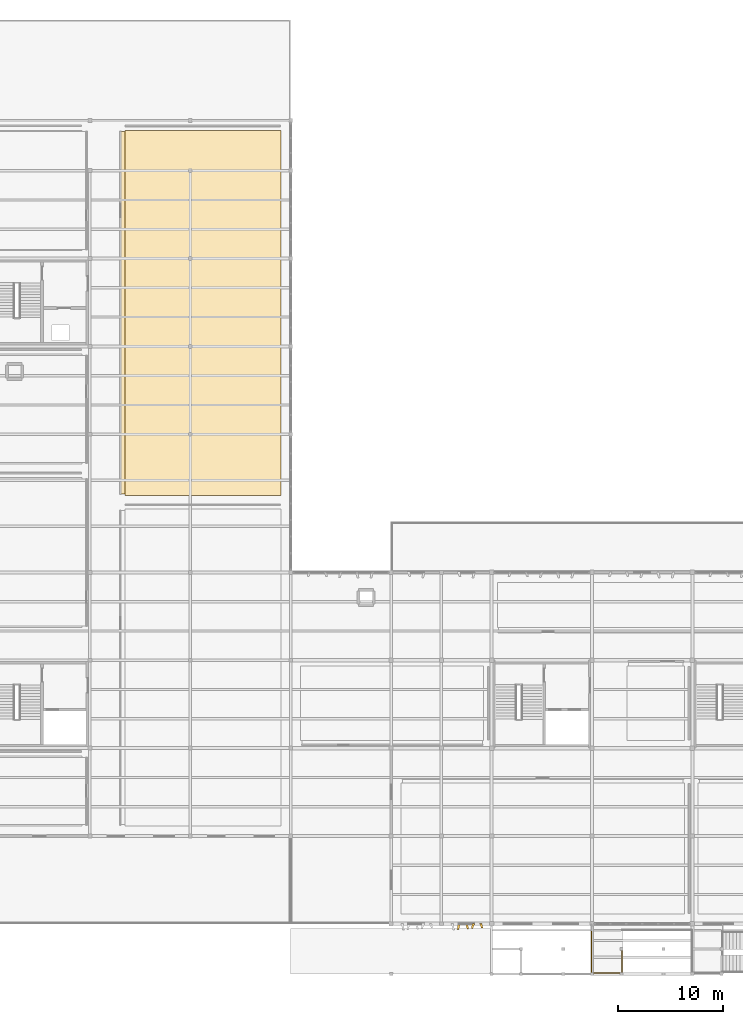
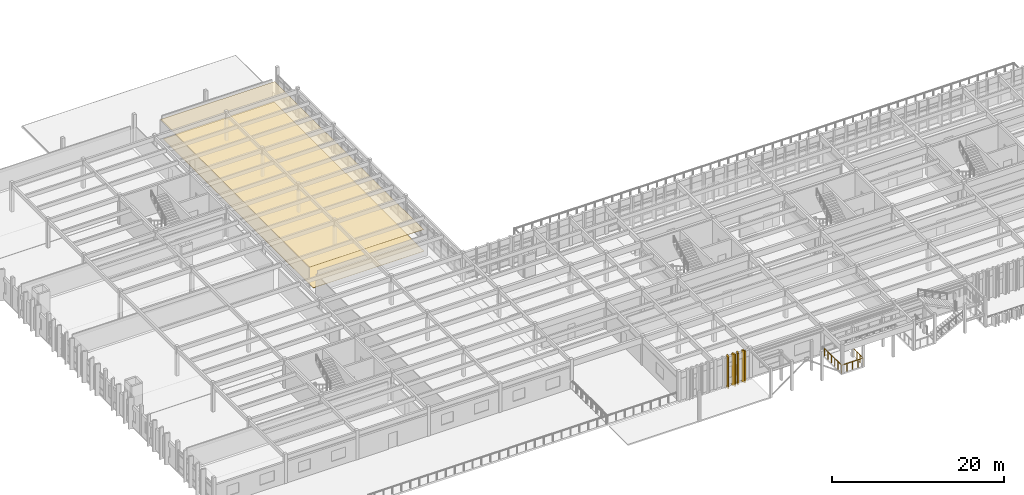
# One storey, part 53 of 61: 6 coverings, 1 railing.
"""IFC4 building model written with IfcOpenShell, lengths in metres."""

from ifc_helpers import new_model, si_unit, direction, frame, origin, origin_2d, place, context, subcontext, project, spatial, polyline, circle, outline, extrude, material, layer, layer_set, type_object, element, save


model = new_model("IFC4")

# Units and contexts
model_context = context("Model", 3, precision=1e-05, world=origin(), true_north=direction((0.0, 1.0)))
body_context = subcontext(model_context, "Body", "Model", "MODEL_VIEW")
ifc_project = project(units=[si_unit("LENGTHUNIT", "METRE"), si_unit("AREAUNIT", "SQUARE_METRE"), si_unit("VOLUMEUNIT", "CUBIC_METRE"), si_unit("PLANEANGLEUNIT", "RADIAN"), si_unit("MASSUNIT", "GRAM", prefix="KILO")], contexts=[model_context])

# Site, building, storey
site_placement = place(None, origin())
site = spatial("IfcSite", under=ifc_project, at=site_placement, CompositionType="ELEMENT")
building_placement = place(site_placement, origin())
building = spatial("IfcBuilding", under=site, at=building_placement, Name="Kolvemor Railside Polytechnic", CompositionType="ELEMENT")
storey_placement = place(building_placement, frame((0.0, 0.0, 10.199951171875)))
storey = spatial("IfcBuildingStorey", under=building, at=storey_placement, Name="L02", CompositionType="ELEMENT", Elevation=10.199951171875)

# Coverings
ifc_material_1 = material(Name="Perforated acoustic mineral-fibre and timber-slat ceiling", Category="wood")
ifc_layer_1 = layer(ifc_material_1, 0.034912109375, Name="COV-CEIL-3")
ifc_layer_set_1 = layer_set([ifc_layer_1], Name="Perforated acoustic mineral-fibre and timber-slat ceiling")
covering_type_1 = type_object("IfcCoveringType", Name="COV-CEIL-3", PredefinedType="CEILING", material=ifc_layer_set_1)
covering_1_placement = place(storey_placement, frame((0.0, 0.0, 2.9951171875)))
element("IfcCovering", 1, at=covering_1_placement, inside=storey, type_object=covering_type_1, Name="GIS and Remote Sensing Laboratory Acoustic Ceiling", PredefinedType="CEILING", context=body_context, shape_type="SweptSolid", body=[
    extrude(outline(polyline([(31.719970703125, 45.8798828125), (47.050048828125, 45.8798828125), (47.050048828125, 80.52001953125), (31.719970703125, 80.52001953125), (31.719970703125, 45.8798828125)])), origin(), (0.0, 0.0, 1.0), 0.034912109375),
])
ifc_material_2 = material(Name="Champagne-bronze PVDF-anodised marine aluminium 5052-H32", Category="aluminium")
ifc_layer_2 = layer(ifc_material_2, 0.179931640625, Name="COV-FIN-CHAMP")
ifc_layer_set_2 = layer_set([ifc_layer_2], Name="Champagne-bronze PVDF-anodised marine aluminium 5052-H32")
covering_type_2 = type_object("IfcCoveringType", Name="COV-FIN-CHAMP", PredefinedType="CLADDING", material=ifc_layer_set_2)
covering_2_placement = place(storey_placement, frame((0.0, 0.0, -0.320068359375)))
element("IfcCovering", 2, at=covering_2_placement, inside=storey, type_object=covering_type_2, Name="Pleated Solar Fin L02-0338", PredefinedType="CLADDING", context=body_context, shape_type="SweptSolid", body=[
    extrude(outline(polyline([(64.0048828125, 4.8349609375), (64.235107421875, 4.8349609375), (64.06005859375, 4.2529296875), (63.89990234375, 4.2529296875), (64.0048828125, 4.8349609375)])), origin(), (0.0, 0.0, 1.0), 4.52001953125),
])
covering_3_placement = place(storey_placement, frame((0.0, 0.0, -0.320068359375)))
element("IfcCovering", 3, at=covering_3_placement, inside=storey, type_object=covering_type_2, Name="Pleated Solar Fin L02-0339", PredefinedType="CLADDING", context=body_context, shape_type="SweptSolid", body=[
    extrude(outline(polyline([(64.68505859375, 4.8349609375), (64.9150390625, 4.8349609375), (65.02001953125, 4.31494140625), (64.860107421875, 4.31494140625), (64.68505859375, 4.8349609375)])), origin(), (0.0, 0.0, 1.0), 4.52001953125),
])
covering_4_placement = place(storey_placement, frame((0.0, 0.0, -0.320068359375)))
element("IfcCovering", 4, at=covering_4_placement, inside=storey, type_object=covering_type_2, Name="Pleated Solar Fin L02-0340", PredefinedType="CLADDING", context=body_context, shape_type="SweptSolid", body=[
    extrude(outline(polyline([(65.364990234375, 4.8349609375), (65.594970703125, 4.8349609375), (65.419921875, 4.376953125), (65.260009765625, 4.376953125), (65.364990234375, 4.8349609375)])), origin(), (0.0, 0.0, 1.0), 4.52001953125),
])
covering_5_placement = place(storey_placement, frame((0.0, 0.0, -0.320068359375)))
element("IfcCovering", 5, at=covering_5_placement, inside=storey, type_object=covering_type_2, Name="Pleated Solar Fin L02-0341", PredefinedType="CLADDING", context=body_context, shape_type="SweptSolid", body=[
    extrude(outline(polyline([(66.044921875, 4.8349609375), (66.27490234375, 4.8349609375), (66.3798828125, 4.39306640625), (66.219970703125, 4.39306640625), (66.044921875, 4.8349609375)])), origin(), (0.0, 0.0, 1.0), 4.52001953125),
])
ifc_material_3 = material(Name="Polished coral-aggregate terrazzo and laboratory epoxy flooring")
ifc_layer_3 = layer(ifc_material_3, 0.030029296875, Name="COV-FLR-3")
ifc_layer_set_3 = layer_set([ifc_layer_3], Name="Polished coral-aggregate terrazzo and laboratory epoxy flooring")
covering_type_3 = type_object("IfcCoveringType", Name="COV-FLR-3", PredefinedType="FLOORING", material=ifc_layer_set_3)
covering_6_placement = place(storey_placement, origin())
element("IfcCovering", 6, at=covering_6_placement, inside=storey, type_object=covering_type_3, Name="GIS and Remote Sensing Laboratory Floor Finish", PredefinedType="FLOORING", context=body_context, shape_type="SweptSolid", body=[
    extrude(outline(polyline([(32.14990234375, 45.75), (47.050048828125, 45.75), (47.050048828125, 80.64990234375), (32.14990234375, 80.64990234375), (32.14990234375, 45.75)])), origin(), (0.0, 0.0, 1.0), 0.030029296875),
])

# Railing
ifc_material_4 = material(Name="AISI 316 marine stainless-steel balustrade guard", Category="steel")
railing_type = type_object("IfcRailingType", Name="RLG-GUARD-1120", PredefinedType="BALUSTRADE", material=ifc_material_4)
railing_placement = place(storey_placement, frame((79.679931640625, 2.340087890625, 0.0)))
element("IfcRailing", 7, at=railing_placement, inside=storey, type_object=railing_type, Name="ST-EXT Arrival Landing Perimeter Guard L02", PredefinedType="BALUSTRADE", context=body_context, shape_type="SweptSolid", body=[
    extrude(circle(Radius=0.02392578125, at=origin_2d()), frame((0.0, -0.054931640625, 1.09619140625), z_axis=(0.0, -1.0, 0.0), x_axis=(1.0, 0.0, 0.0)), (0.0, 0.0, 1.0), 2.10986328125),
    extrude(circle(Radius=0.02392578125, at=origin_2d()), frame((-0.054931640625, -2.219970703125, 1.09619140625), z_axis=(-1.0, 0.0, 0.0), x_axis=(0.0, -1.0, 0.0)), (0.0, 0.0, 1.0), 2.7998046875),
    extrude(circle(Radius=0.02392578125, at=origin_2d()), frame((-2.909912109375, -2.1650390625, 1.09619140625), z_axis=(0.0, 1.0, 0.0), x_axis=(-1.0, 0.0, 0.0)), (0.0, 0.0, 1.0), 3.849853515625),
    extrude(circle(Radius=0.02099609375, at=origin_2d()), origin(), (0.0, 0.0, 1.0), 1.05712890625),
    extrude(circle(Radius=0.02099609375, at=origin_2d()), frame((0.0, -0.739990234375, 0.0)), (0.0, 0.0, 1.0), 1.05712890625),
    extrude(circle(Radius=0.02099609375, at=origin_2d()), frame((0.0, -1.47998046875, 0.0)), (0.0, 0.0, 1.0), 1.05712890625),
    extrude(circle(Radius=0.02099609375, at=origin_2d()), frame((0.0, -2.219970703125, 0.0)), (0.0, 0.0, 1.0), 1.05712890625),
    extrude(circle(Radius=0.02099609375, at=origin_2d()), frame((-0.7275390625, -2.219970703125, 0.0)), (0.0, 0.0, 1.0), 1.05712890625),
    extrude(circle(Radius=0.02099609375, at=origin_2d()), frame((-1.455078125, -2.219970703125, 0.0)), (0.0, 0.0, 1.0), 1.05712890625),
    extrude(circle(Radius=0.02099609375, at=origin_2d()), frame((-2.182373046875, -2.219970703125, 0.0)), (0.0, 0.0, 1.0), 1.05712890625),
    extrude(circle(Radius=0.02099609375, at=origin_2d()), frame((-2.909912109375, -2.219970703125, 0.0)), (0.0, 0.0, 1.0), 1.05712890625),
    extrude(circle(Radius=0.02099609375, at=origin_2d()), frame((-2.909912109375, -1.427978515625, 0.0)), (0.0, 0.0, 1.0), 1.05712890625),
    extrude(circle(Radius=0.02099609375, at=origin_2d()), frame((-2.909912109375, -0.635986328125, 0.0)), (0.0, 0.0, 1.0), 1.05712890625),
    extrude(circle(Radius=0.02099609375, at=origin_2d()), frame((-2.909912109375, 0.156005859375, 0.0)), (0.0, 0.0, 1.0), 1.05712890625),
    extrude(circle(Radius=0.02099609375, at=origin_2d()), frame((-2.909912109375, 0.947998046875, 0.0)), (0.0, 0.0, 1.0), 1.05712890625),
    extrude(circle(Radius=0.02099609375, at=origin_2d()), frame((-2.909912109375, 1.739990234375, 0.0)), (0.0, 0.0, 1.0), 1.05712890625),
])

save(model, "model.ifc")
